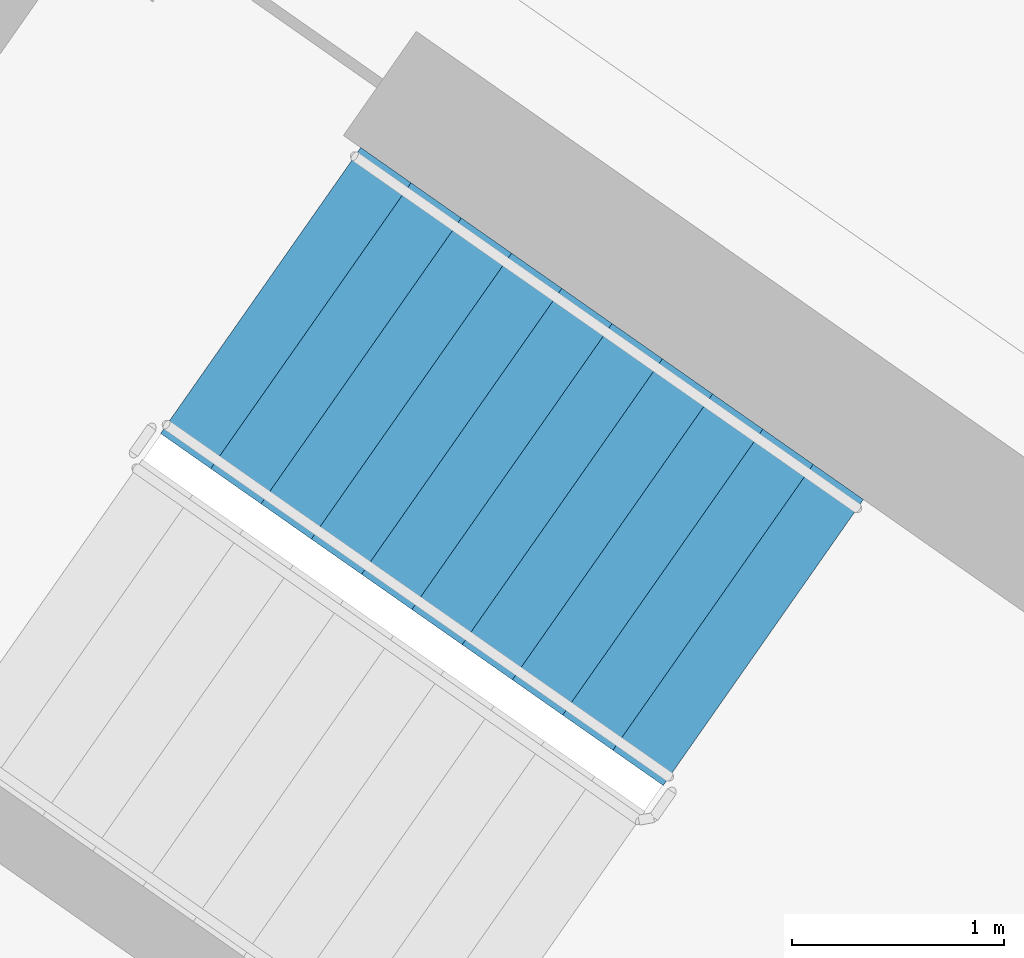
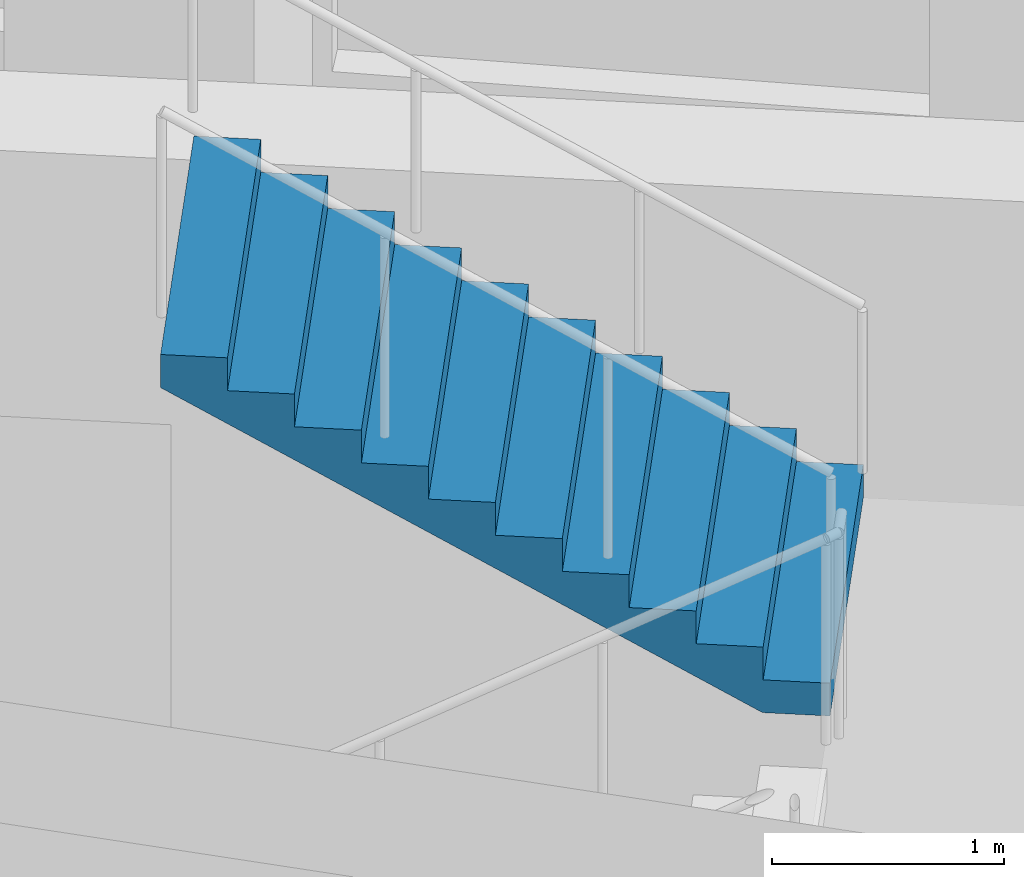
# One storey, part 11 of 27: 1 stair flight, 1 element without a shape of its own.
"""IFC4 building model written with IfcOpenShell, lengths in metres."""

from ifc_helpers import new_model, si_unit, direction, frame, origin, place, context, subcontext, project, spatial, faceted_brep, material, type_object, element, aggregate, save


model = new_model("IFC4")

# Units and contexts
model_context = context("Model", 3, precision=1e-05, world=origin(), true_north=direction((0.0, 1.0)))
body_context = subcontext(model_context, "Body", "Model", "MODEL_VIEW")
ifc_project = project(units=[si_unit("LENGTHUNIT", "METRE"), si_unit("AREAUNIT", "SQUARE_METRE"), si_unit("VOLUMEUNIT", "CUBIC_METRE"), si_unit("PLANEANGLEUNIT", "RADIAN"), si_unit("MASSUNIT", "GRAM", prefix="KILO")], contexts=[model_context])

# Site, building, storey
site_placement = place(None, origin())
site = spatial("IfcSite", under=ifc_project, at=site_placement, CompositionType="ELEMENT")
building_placement = place(site_placement, origin())
building = spatial("IfcBuilding", under=site, at=building_placement, Name="Qamariyya Broadcast Tower", CompositionType="ELEMENT")
storey_placement = place(building_placement, frame((0.0, 0.0, 153.10009765625)))
storey = spatial("IfcBuildingStorey", under=building, at=storey_placement, Name="L35", CompositionType="ELEMENT", Elevation=153.10009765625)

# Stair, stair flight
ifc_material = material(Name="Concrete C50/60", Category="concrete")
stair_type = type_object("IfcStairType", Name="Exit stair 22 risers of 173 mm", PredefinedType="HALF_TURN_STAIR", material=ifc_material)
stair_placement = place(storey_placement, origin())
stair = element("IfcStair", 1, at=stair_placement, inside=storey, type_object=stair_type, Name="L35 Stair W2", PredefinedType="HALF_TURN_STAIR")
stair_flight_type = type_object("IfcStairFlightType", Name="Exit stair flight 11 risers of 173 mm", PredefinedType="STRAIGHT", material=ifc_material)
stair_flight_placement = place(storey_placement, frame((-38.18310546875, -49.3486328125, 1.89990234375), z_axis=(0.0, 0.0, 1.0), x_axis=(-0.819152044289, 0.573576436351, 0.0)))
stair_flight = element("IfcStairFlight", 2, at=stair_flight_placement, type_object=stair_flight_type, Name="ST-W2 flight 2", NumberOfRisers=11, NumberOfTreads=10, PredefinedType="STRAIGHT", RiserHeight=0.172727273, TreadLength=0.29, context=body_context, shape_type="Brep", body=[
    faceted_brep([(0.0, 0.824951171875, 0.0), (0.0, 0.824951171875, 0.172607421875), (0.2900390625, 0.824951171875, 0.172607421875), (0.2900390625, 0.824951171875, 0.345458984375), (0.580078125, 0.824951171875, 0.345458984375), (0.580078125, 0.824951171875, 0.51806640625), (0.8701171875, 0.824951171875, 0.51806640625), (0.8701171875, 0.824951171875, 0.69091796875), (1.159912109375, 0.824951171875, 0.69091796875), (1.159912109375, 0.824951171875, 0.863525390625), (1.449951171875, 0.824951171875, 0.863525390625), (1.449951171875, 0.824951171875, 1.036376953125), (1.739990234375, 0.824951171875, 1.036376953125), (1.739990234375, 0.824951171875, 1.208984375), (2.030029296875, 0.824951171875, 1.208984375), (2.030029296875, 0.824951171875, 1.3818359375), (2.320068359375, 0.824951171875, 1.3818359375), (2.320068359375, 0.824951171875, 1.554443359375), (2.610107421875, 0.824951171875, 1.554443359375), (2.610107421875, 0.824951171875, 1.727294921875), (2.89990234375, 0.824951171875, 1.727294921875), (2.89990234375, 0.824951171875, 1.552734375), (0.29296875, 0.824951171875, 0.0), (0.29296875, -0.824951171875, 0.0), (2.89990234375, -0.824951171875, 1.552734375), (2.89990234375, -0.824951171875, 1.727294921875), (2.610107421875, -0.824951171875, 1.727294921875), (2.610107421875, -0.824951171875, 1.554443359375), (2.320068359375, -0.824951171875, 1.554443359375), (2.320068359375, -0.824951171875, 1.3818359375), (2.030029296875, -0.824951171875, 1.3818359375), (2.030029296875, -0.824951171875, 1.208984375), (1.739990234375, -0.824951171875, 1.208984375), (1.739990234375, -0.824951171875, 1.036376953125), (1.449951171875, -0.824951171875, 1.036376953125), (1.449951171875, -0.824951171875, 0.863525390625), (1.159912109375, -0.824951171875, 0.863525390625), (1.159912109375, -0.824951171875, 0.69091796875), (0.8701171875, -0.824951171875, 0.69091796875), (0.8701171875, -0.824951171875, 0.51806640625), (0.580078125, -0.824951171875, 0.51806640625), (0.580078125, -0.824951171875, 0.345458984375), (0.2900390625, -0.824951171875, 0.345458984375), (0.2900390625, -0.824951171875, 0.172607421875), (0.0, -0.824951171875, 0.172607421875), (0.0, -0.824951171875, 0.0), (0.0, 0.10009765625, 0.0), (0.0, 0.086669921875, 0.0), (0.0, 0.0732421875, 0.0), (0.0, 0.06005859375, 0.0), (0.0, 0.046630859375, 0.0), (0.0, 0.033447265625, 0.0), (0.0, 0.02001953125, 0.0), (0.0, 0.006591796875, 0.0), (0.0, -0.006591796875, 0.0), (0.0, -0.02001953125, 0.0), (0.0, -0.033447265625, 0.0), (0.0, -0.046630859375, 0.0), (0.0, -0.06005859375, 0.0), (0.0, -0.0732421875, 0.0), (0.0, -0.086669921875, 0.0), (0.0, -0.10009765625, 0.0), (0.0, -0.10009765625, 0.172607421875), (0.0, -0.086669921875, 0.172607421875), (0.0, -0.0732421875, 0.172607421875), (0.0, -0.06005859375, 0.172607421875), (0.0, -0.046630859375, 0.172607421875), (0.0, -0.033447265625, 0.172607421875), (0.0, -0.02001953125, 0.172607421875), (0.0, -0.006591796875, 0.172607421875), (0.0, 0.006591796875, 0.172607421875), (0.0, 0.02001953125, 0.172607421875), (0.0, 0.033447265625, 0.172607421875), (0.0, 0.046630859375, 0.172607421875), (0.0, 0.06005859375, 0.172607421875), (0.0, 0.0732421875, 0.172607421875), (0.0, 0.086669921875, 0.172607421875), (0.0, 0.10009765625, 0.172607421875), (0.2900390625, -0.10009765625, 0.172607421875), (0.2900390625, -0.086669921875, 0.172607421875), (0.2900390625, -0.0732421875, 0.172607421875), (0.2900390625, -0.06005859375, 0.172607421875), (0.2900390625, -0.046630859375, 0.172607421875), (0.2900390625, -0.033447265625, 0.172607421875), (0.2900390625, -0.02001953125, 0.172607421875), (0.2900390625, -0.006591796875, 0.172607421875), (0.2900390625, 0.006591796875, 0.172607421875), (0.2900390625, 0.02001953125, 0.172607421875), (0.2900390625, 0.033447265625, 0.172607421875), (0.2900390625, 0.046630859375, 0.172607421875), (0.2900390625, 0.06005859375, 0.172607421875), (0.2900390625, 0.0732421875, 0.172607421875), (0.2900390625, 0.086669921875, 0.172607421875), (0.2900390625, 0.10009765625, 0.172607421875), (0.2900390625, -0.10009765625, 0.345458984375), (0.2900390625, -0.086669921875, 0.345458984375), (0.2900390625, -0.0732421875, 0.345458984375), (0.2900390625, -0.06005859375, 0.345458984375), (0.2900390625, -0.046630859375, 0.345458984375), (0.2900390625, -0.033447265625, 0.345458984375), (0.2900390625, -0.02001953125, 0.345458984375), (0.2900390625, -0.006591796875, 0.345458984375), (0.2900390625, 0.006591796875, 0.345458984375), (0.2900390625, 0.02001953125, 0.345458984375), (0.2900390625, 0.033447265625, 0.345458984375), (0.2900390625, 0.046630859375, 0.345458984375), (0.2900390625, 0.06005859375, 0.345458984375), (0.2900390625, 0.0732421875, 0.345458984375), (0.2900390625, 0.086669921875, 0.345458984375), (0.2900390625, 0.10009765625, 0.345458984375), (0.580078125, -0.10009765625, 0.345458984375), (0.580078125, -0.086669921875, 0.345458984375), (0.580078125, -0.0732421875, 0.345458984375), (0.580078125, -0.06005859375, 0.345458984375), (0.580078125, -0.046630859375, 0.345458984375), (0.580078125, -0.033447265625, 0.345458984375), (0.580078125, -0.02001953125, 0.345458984375), (0.580078125, -0.006591796875, 0.345458984375), (0.580078125, 0.006591796875, 0.345458984375), (0.580078125, 0.02001953125, 0.345458984375), (0.580078125, 0.033447265625, 0.345458984375), (0.580078125, 0.046630859375, 0.345458984375), (0.580078125, 0.06005859375, 0.345458984375), (0.580078125, 0.0732421875, 0.345458984375), (0.580078125, 0.086669921875, 0.345458984375), (0.580078125, 0.10009765625, 0.345458984375), (0.580078125, -0.10009765625, 0.51806640625), (0.580078125, -0.086669921875, 0.51806640625), (0.580078125, -0.0732421875, 0.51806640625), (0.580078125, -0.06005859375, 0.51806640625), (0.580078125, -0.046630859375, 0.51806640625), (0.580078125, -0.033447265625, 0.51806640625), (0.580078125, -0.02001953125, 0.51806640625), (0.580078125, -0.006591796875, 0.51806640625), (0.580078125, 0.006591796875, 0.51806640625), (0.580078125, 0.02001953125, 0.51806640625), (0.580078125, 0.033447265625, 0.51806640625), (0.580078125, 0.046630859375, 0.51806640625), (0.580078125, 0.06005859375, 0.51806640625), (0.580078125, 0.0732421875, 0.51806640625), (0.580078125, 0.086669921875, 0.51806640625), (0.580078125, 0.10009765625, 0.51806640625), (0.8701171875, -0.10009765625, 0.51806640625), (0.8701171875, -0.086669921875, 0.51806640625), (0.8701171875, -0.0732421875, 0.51806640625), (0.8701171875, -0.06005859375, 0.51806640625), (0.8701171875, -0.046630859375, 0.51806640625), (0.8701171875, -0.033447265625, 0.51806640625), (0.8701171875, -0.02001953125, 0.51806640625), (0.8701171875, -0.006591796875, 0.51806640625), (0.8701171875, 0.006591796875, 0.51806640625), (0.8701171875, 0.02001953125, 0.51806640625), (0.8701171875, 0.033447265625, 0.51806640625), (0.8701171875, 0.046630859375, 0.51806640625), (0.8701171875, 0.06005859375, 0.51806640625), (0.8701171875, 0.0732421875, 0.51806640625), (0.8701171875, 0.086669921875, 0.51806640625), (0.8701171875, 0.10009765625, 0.51806640625), (0.8701171875, -0.10009765625, 0.69091796875), (0.8701171875, -0.086669921875, 0.69091796875), (0.8701171875, -0.0732421875, 0.69091796875), (0.8701171875, -0.06005859375, 0.69091796875), (0.8701171875, -0.046630859375, 0.69091796875), (0.8701171875, -0.033447265625, 0.69091796875), (0.8701171875, -0.02001953125, 0.69091796875), (0.8701171875, -0.006591796875, 0.69091796875), (0.8701171875, 0.006591796875, 0.69091796875), (0.8701171875, 0.02001953125, 0.69091796875), (0.8701171875, 0.033447265625, 0.69091796875), (0.8701171875, 0.046630859375, 0.69091796875), (0.8701171875, 0.06005859375, 0.69091796875), (0.8701171875, 0.0732421875, 0.69091796875), (0.8701171875, 0.086669921875, 0.69091796875), (0.8701171875, 0.10009765625, 0.69091796875), (1.159912109375, -0.10009765625, 0.69091796875), (1.159912109375, -0.086669921875, 0.69091796875), (1.159912109375, -0.0732421875, 0.69091796875), (1.159912109375, -0.06005859375, 0.69091796875), (1.159912109375, -0.046630859375, 0.69091796875), (1.159912109375, -0.033447265625, 0.69091796875), (1.159912109375, -0.02001953125, 0.69091796875), (1.159912109375, -0.006591796875, 0.69091796875), (1.159912109375, 0.006591796875, 0.69091796875), (1.159912109375, 0.02001953125, 0.69091796875), (1.159912109375, 0.033447265625, 0.69091796875), (1.159912109375, 0.046630859375, 0.69091796875), (1.159912109375, 0.06005859375, 0.69091796875), (1.159912109375, 0.0732421875, 0.69091796875), (1.159912109375, 0.086669921875, 0.69091796875), (1.159912109375, 0.10009765625, 0.69091796875), (1.159912109375, -0.10009765625, 0.863525390625), (1.159912109375, -0.086669921875, 0.863525390625), (1.159912109375, -0.0732421875, 0.863525390625), (1.159912109375, -0.06005859375, 0.863525390625), (1.159912109375, -0.046630859375, 0.863525390625), (1.159912109375, -0.033447265625, 0.863525390625), (1.159912109375, -0.02001953125, 0.863525390625), (1.159912109375, -0.006591796875, 0.863525390625), (1.159912109375, 0.006591796875, 0.863525390625), (1.159912109375, 0.02001953125, 0.863525390625), (1.159912109375, 0.033447265625, 0.863525390625), (1.159912109375, 0.046630859375, 0.863525390625), (1.159912109375, 0.06005859375, 0.863525390625), (1.159912109375, 0.0732421875, 0.863525390625), (1.159912109375, 0.086669921875, 0.863525390625), (1.159912109375, 0.10009765625, 0.863525390625), (1.449951171875, -0.10009765625, 0.863525390625), (1.449951171875, -0.086669921875, 0.863525390625), (1.449951171875, -0.0732421875, 0.863525390625), (1.449951171875, -0.06005859375, 0.863525390625), (1.449951171875, -0.046630859375, 0.863525390625), (1.449951171875, -0.033447265625, 0.863525390625), (1.449951171875, -0.02001953125, 0.863525390625), (1.449951171875, -0.006591796875, 0.863525390625), (1.449951171875, 0.006591796875, 0.863525390625), (1.449951171875, 0.02001953125, 0.863525390625), (1.449951171875, 0.033447265625, 0.863525390625), (1.449951171875, 0.046630859375, 0.863525390625), (1.449951171875, 0.06005859375, 0.863525390625), (1.449951171875, 0.0732421875, 0.863525390625), (1.449951171875, 0.086669921875, 0.863525390625), (1.449951171875, 0.10009765625, 0.863525390625), (1.449951171875, -0.10009765625, 1.036376953125), (1.449951171875, -0.086669921875, 1.036376953125), (1.449951171875, -0.0732421875, 1.036376953125), (1.449951171875, -0.06005859375, 1.036376953125), (1.449951171875, -0.046630859375, 1.036376953125), (1.449951171875, -0.033447265625, 1.036376953125), (1.449951171875, -0.02001953125, 1.036376953125), (1.449951171875, -0.006591796875, 1.036376953125), (1.449951171875, 0.006591796875, 1.036376953125), (1.449951171875, 0.02001953125, 1.036376953125), (1.449951171875, 0.033447265625, 1.036376953125), (1.449951171875, 0.046630859375, 1.036376953125), (1.449951171875, 0.06005859375, 1.036376953125), (1.449951171875, 0.0732421875, 1.036376953125), (1.449951171875, 0.086669921875, 1.036376953125), (1.449951171875, 0.10009765625, 1.036376953125), (1.739990234375, -0.10009765625, 1.036376953125), (1.739990234375, -0.086669921875, 1.036376953125), (1.739990234375, -0.0732421875, 1.036376953125), (1.739990234375, -0.06005859375, 1.036376953125), (1.739990234375, -0.046630859375, 1.036376953125), (1.739990234375, -0.033447265625, 1.036376953125), (1.739990234375, -0.02001953125, 1.036376953125), (1.739990234375, -0.006591796875, 1.036376953125), (1.739990234375, 0.006591796875, 1.036376953125), (1.739990234375, 0.02001953125, 1.036376953125), (1.739990234375, 0.033447265625, 1.036376953125), (1.739990234375, 0.046630859375, 1.036376953125), (1.739990234375, 0.06005859375, 1.036376953125), (1.739990234375, 0.0732421875, 1.036376953125), (1.739990234375, 0.086669921875, 1.036376953125), (1.739990234375, 0.10009765625, 1.036376953125), (1.739990234375, -0.10009765625, 1.208984375), (1.739990234375, -0.086669921875, 1.208984375), (1.739990234375, -0.0732421875, 1.208984375), (1.739990234375, -0.06005859375, 1.208984375), (1.739990234375, -0.046630859375, 1.208984375), (1.739990234375, -0.033447265625, 1.208984375), (1.739990234375, -0.02001953125, 1.208984375), (1.739990234375, -0.006591796875, 1.208984375), (1.739990234375, 0.006591796875, 1.208984375), (1.739990234375, 0.02001953125, 1.208984375), (1.739990234375, 0.033447265625, 1.208984375), (1.739990234375, 0.046630859375, 1.208984375), (1.739990234375, 0.06005859375, 1.208984375), (1.739990234375, 0.0732421875, 1.208984375), (1.739990234375, 0.086669921875, 1.208984375), (1.739990234375, 0.10009765625, 1.208984375), (2.030029296875, -0.10009765625, 1.208984375), (2.030029296875, -0.086669921875, 1.208984375), (2.030029296875, -0.0732421875, 1.208984375), (2.030029296875, -0.06005859375, 1.208984375), (2.030029296875, -0.046630859375, 1.208984375), (2.030029296875, -0.033447265625, 1.208984375), (2.030029296875, -0.02001953125, 1.208984375), (2.030029296875, -0.006591796875, 1.208984375), (2.030029296875, 0.006591796875, 1.208984375), (2.030029296875, 0.02001953125, 1.208984375), (2.030029296875, 0.033447265625, 1.208984375), (2.030029296875, 0.046630859375, 1.208984375), (2.030029296875, 0.06005859375, 1.208984375), (2.030029296875, 0.0732421875, 1.208984375), (2.030029296875, 0.086669921875, 1.208984375), (2.030029296875, 0.10009765625, 1.208984375), (2.030029296875, -0.10009765625, 1.3818359375), (2.030029296875, -0.086669921875, 1.3818359375), (2.030029296875, -0.0732421875, 1.3818359375), (2.030029296875, -0.06005859375, 1.3818359375), (2.030029296875, -0.046630859375, 1.3818359375), (2.030029296875, -0.033447265625, 1.3818359375), (2.030029296875, -0.02001953125, 1.3818359375), (2.030029296875, -0.006591796875, 1.3818359375), (2.030029296875, 0.006591796875, 1.3818359375), (2.030029296875, 0.02001953125, 1.3818359375), (2.030029296875, 0.033447265625, 1.3818359375), (2.030029296875, 0.046630859375, 1.3818359375), (2.030029296875, 0.06005859375, 1.3818359375), (2.030029296875, 0.0732421875, 1.3818359375), (2.030029296875, 0.086669921875, 1.3818359375), (2.030029296875, 0.10009765625, 1.3818359375), (2.320068359375, -0.10009765625, 1.3818359375), (2.320068359375, -0.086669921875, 1.3818359375), (2.320068359375, -0.0732421875, 1.3818359375), (2.320068359375, -0.06005859375, 1.3818359375), (2.320068359375, -0.046630859375, 1.3818359375), (2.320068359375, -0.033447265625, 1.3818359375), (2.320068359375, -0.02001953125, 1.3818359375), (2.320068359375, -0.006591796875, 1.3818359375), (2.320068359375, 0.006591796875, 1.3818359375), (2.320068359375, 0.02001953125, 1.3818359375), (2.320068359375, 0.033447265625, 1.3818359375), (2.320068359375, 0.046630859375, 1.3818359375), (2.320068359375, 0.06005859375, 1.3818359375), (2.320068359375, 0.0732421875, 1.3818359375), (2.320068359375, 0.086669921875, 1.3818359375), (2.320068359375, 0.10009765625, 1.3818359375), (2.320068359375, -0.10009765625, 1.554443359375), (2.320068359375, -0.086669921875, 1.554443359375), (2.320068359375, -0.0732421875, 1.554443359375), (2.320068359375, -0.06005859375, 1.554443359375), (2.320068359375, -0.046630859375, 1.554443359375), (2.320068359375, -0.033447265625, 1.554443359375), (2.320068359375, -0.02001953125, 1.554443359375), (2.320068359375, -0.006591796875, 1.554443359375), (2.320068359375, 0.006591796875, 1.554443359375), (2.320068359375, 0.02001953125, 1.554443359375), (2.320068359375, 0.033447265625, 1.554443359375), (2.320068359375, 0.046630859375, 1.554443359375), (2.320068359375, 0.06005859375, 1.554443359375), (2.320068359375, 0.0732421875, 1.554443359375), (2.320068359375, 0.086669921875, 1.554443359375), (2.320068359375, 0.10009765625, 1.554443359375), (2.610107421875, -0.10009765625, 1.554443359375), (2.610107421875, -0.086669921875, 1.554443359375), (2.610107421875, -0.0732421875, 1.554443359375), (2.610107421875, -0.06005859375, 1.554443359375), (2.610107421875, -0.046630859375, 1.554443359375), (2.610107421875, -0.033447265625, 1.554443359375), (2.610107421875, -0.02001953125, 1.554443359375), (2.610107421875, -0.006591796875, 1.554443359375), (2.610107421875, 0.006591796875, 1.554443359375), (2.610107421875, 0.02001953125, 1.554443359375), (2.610107421875, 0.033447265625, 1.554443359375), (2.610107421875, 0.046630859375, 1.554443359375), (2.610107421875, 0.06005859375, 1.554443359375), (2.610107421875, 0.0732421875, 1.554443359375), (2.610107421875, 0.086669921875, 1.554443359375), (2.610107421875, 0.10009765625, 1.554443359375), (2.610107421875, -0.10009765625, 1.727294921875), (2.610107421875, -0.086669921875, 1.727294921875), (2.610107421875, -0.0732421875, 1.727294921875), (2.610107421875, -0.06005859375, 1.727294921875), (2.610107421875, -0.046630859375, 1.727294921875), (2.610107421875, -0.033447265625, 1.727294921875), (2.610107421875, -0.02001953125, 1.727294921875), (2.610107421875, -0.006591796875, 1.727294921875), (2.610107421875, 0.006591796875, 1.727294921875), (2.610107421875, 0.02001953125, 1.727294921875), (2.610107421875, 0.033447265625, 1.727294921875), (2.610107421875, 0.046630859375, 1.727294921875), (2.610107421875, 0.06005859375, 1.727294921875), (2.610107421875, 0.0732421875, 1.727294921875), (2.610107421875, 0.086669921875, 1.727294921875), (2.610107421875, 0.10009765625, 1.727294921875), (2.89990234375, -0.10009765625, 1.727294921875), (2.89990234375, -0.086669921875, 1.727294921875), (2.89990234375, -0.0732421875, 1.727294921875), (2.89990234375, -0.06005859375, 1.727294921875), (2.89990234375, -0.046630859375, 1.727294921875), (2.89990234375, -0.033447265625, 1.727294921875), (2.89990234375, -0.02001953125, 1.727294921875), (2.89990234375, -0.006591796875, 1.727294921875), (2.89990234375, 0.006591796875, 1.727294921875), (2.89990234375, 0.02001953125, 1.727294921875), (2.89990234375, 0.033447265625, 1.727294921875), (2.89990234375, 0.046630859375, 1.727294921875), (2.89990234375, 0.06005859375, 1.727294921875), (2.89990234375, 0.0732421875, 1.727294921875), (2.89990234375, 0.086669921875, 1.727294921875), (2.89990234375, 0.10009765625, 1.727294921875), (2.89990234375, -0.10009765625, 1.552734375), (2.89990234375, -0.086669921875, 1.552734375), (2.89990234375, -0.0732421875, 1.552734375), (2.89990234375, -0.06005859375, 1.552734375), (2.89990234375, -0.046630859375, 1.552734375), (2.89990234375, -0.033447265625, 1.552734375), (2.89990234375, -0.02001953125, 1.552734375), (2.89990234375, -0.006591796875, 1.552734375), (2.89990234375, 0.006591796875, 1.552734375), (2.89990234375, 0.02001953125, 1.552734375), (2.89990234375, 0.033447265625, 1.552734375), (2.89990234375, 0.046630859375, 1.552734375), (2.89990234375, 0.06005859375, 1.552734375), (2.89990234375, 0.0732421875, 1.552734375), (2.89990234375, 0.086669921875, 1.552734375), (2.89990234375, 0.10009765625, 1.552734375), (0.29296875, -0.10009765625, 0.0), (0.29296875, -0.086669921875, 0.0), (0.29296875, -0.0732421875, 0.0), (0.29296875, -0.06005859375, 0.0), (0.29296875, -0.046630859375, 0.0), (0.29296875, -0.033447265625, 0.0), (0.29296875, -0.02001953125, 0.0), (0.29296875, -0.006591796875, 0.0), (0.29296875, 0.006591796875, 0.0), (0.29296875, 0.02001953125, 0.0), (0.29296875, 0.033447265625, 0.0), (0.29296875, 0.046630859375, 0.0), (0.29296875, 0.06005859375, 0.0), (0.29296875, 0.0732421875, 0.0), (0.29296875, 0.086669921875, 0.0), (0.29296875, 0.10009765625, 0.0)], [[[0, 1, 2, 3, 4, 5, 6, 7, 8, 9, 10, 11, 12, 13, 14, 15, 16, 17, 18, 19, 20, 21, 22]], [[23, 24, 25, 26, 27, 28, 29, 30, 31, 32, 33, 34, 35, 36, 37, 38, 39, 40, 41, 42, 43, 44, 45]], [[0, 46, 47, 48, 49, 50, 51, 52, 53, 54, 55, 56, 57, 58, 59, 60, 61, 45, 44, 62, 63, 64, 65, 66, 67, 68, 69, 70, 71, 72, 73, 74, 75, 76, 77, 1]], [[1, 77, 76, 75, 74, 73, 72, 71, 70, 69, 68, 67, 66, 65, 64, 63, 62, 44, 43, 78, 79, 80, 81, 82, 83, 84, 85, 86, 87, 88, 89, 90, 91, 92, 93, 2]], [[2, 93, 92, 91, 90, 89, 88, 87, 86, 85, 84, 83, 82, 81, 80, 79, 78, 43, 42, 94, 95, 96, 97, 98, 99, 100, 101, 102, 103, 104, 105, 106, 107, 108, 109, 3]], [[3, 109, 108, 107, 106, 105, 104, 103, 102, 101, 100, 99, 98, 97, 96, 95, 94, 42, 41, 110, 111, 112, 113, 114, 115, 116, 117, 118, 119, 120, 121, 122, 123, 124, 125, 4]], [[4, 125, 124, 123, 122, 121, 120, 119, 118, 117, 116, 115, 114, 113, 112, 111, 110, 41, 40, 126, 127, 128, 129, 130, 131, 132, 133, 134, 135, 136, 137, 138, 139, 140, 141, 5]], [[5, 141, 140, 139, 138, 137, 136, 135, 134, 133, 132, 131, 130, 129, 128, 127, 126, 40, 39, 142, 143, 144, 145, 146, 147, 148, 149, 150, 151, 152, 153, 154, 155, 156, 157, 6]], [[6, 157, 156, 155, 154, 153, 152, 151, 150, 149, 148, 147, 146, 145, 144, 143, 142, 39, 38, 158, 159, 160, 161, 162, 163, 164, 165, 166, 167, 168, 169, 170, 171, 172, 173, 7]], [[7, 173, 172, 171, 170, 169, 168, 167, 166, 165, 164, 163, 162, 161, 160, 159, 158, 38, 37, 174, 175, 176, 177, 178, 179, 180, 181, 182, 183, 184, 185, 186, 187, 188, 189, 8]], [[8, 189, 188, 187, 186, 185, 184, 183, 182, 181, 180, 179, 178, 177, 176, 175, 174, 37, 36, 190, 191, 192, 193, 194, 195, 196, 197, 198, 199, 200, 201, 202, 203, 204, 205, 9]], [[9, 205, 204, 203, 202, 201, 200, 199, 198, 197, 196, 195, 194, 193, 192, 191, 190, 36, 35, 206, 207, 208, 209, 210, 211, 212, 213, 214, 215, 216, 217, 218, 219, 220, 221, 10]], [[10, 221, 220, 219, 218, 217, 216, 215, 214, 213, 212, 211, 210, 209, 208, 207, 206, 35, 34, 222, 223, 224, 225, 226, 227, 228, 229, 230, 231, 232, 233, 234, 235, 236, 237, 11]], [[11, 237, 236, 235, 234, 233, 232, 231, 230, 229, 228, 227, 226, 225, 224, 223, 222, 34, 33, 238, 239, 240, 241, 242, 243, 244, 245, 246, 247, 248, 249, 250, 251, 252, 253, 12]], [[12, 253, 252, 251, 250, 249, 248, 247, 246, 245, 244, 243, 242, 241, 240, 239, 238, 33, 32, 254, 255, 256, 257, 258, 259, 260, 261, 262, 263, 264, 265, 266, 267, 268, 269, 13]], [[13, 269, 268, 267, 266, 265, 264, 263, 262, 261, 260, 259, 258, 257, 256, 255, 254, 32, 31, 270, 271, 272, 273, 274, 275, 276, 277, 278, 279, 280, 281, 282, 283, 284, 285, 14]], [[14, 285, 284, 283, 282, 281, 280, 279, 278, 277, 276, 275, 274, 273, 272, 271, 270, 31, 30, 286, 287, 288, 289, 290, 291, 292, 293, 294, 295, 296, 297, 298, 299, 300, 301, 15]], [[15, 301, 300, 299, 298, 297, 296, 295, 294, 293, 292, 291, 290, 289, 288, 287, 286, 30, 29, 302, 303, 304, 305, 306, 307, 308, 309, 310, 311, 312, 313, 314, 315, 316, 317, 16]], [[16, 317, 316, 315, 314, 313, 312, 311, 310, 309, 308, 307, 306, 305, 304, 303, 302, 29, 28, 318, 319, 320, 321, 322, 323, 324, 325, 326, 327, 328, 329, 330, 331, 332, 333, 17]], [[17, 333, 332, 331, 330, 329, 328, 327, 326, 325, 324, 323, 322, 321, 320, 319, 318, 28, 27, 334, 335, 336, 337, 338, 339, 340, 341, 342, 343, 344, 345, 346, 347, 348, 349, 18]], [[18, 349, 348, 347, 346, 345, 344, 343, 342, 341, 340, 339, 338, 337, 336, 335, 334, 27, 26, 350, 351, 352, 353, 354, 355, 356, 357, 358, 359, 360, 361, 362, 363, 364, 365, 19]], [[19, 365, 364, 363, 362, 361, 360, 359, 358, 357, 356, 355, 354, 353, 352, 351, 350, 26, 25, 366, 367, 368, 369, 370, 371, 372, 373, 374, 375, 376, 377, 378, 379, 380, 381, 20]], [[20, 381, 380, 379, 378, 377, 376, 375, 374, 373, 372, 371, 370, 369, 368, 367, 366, 25, 24, 382, 383, 384, 385, 386, 387, 388, 389, 390, 391, 392, 393, 394, 395, 396, 397, 21]], [[21, 397, 396, 395, 394, 393, 392, 391, 390, 389, 388, 387, 386, 385, 384, 383, 382, 24, 23, 398, 399, 400, 401, 402, 403, 404, 405, 406, 407, 408, 409, 410, 411, 412, 413, 22]], [[22, 413, 412, 411, 410, 409, 408, 407, 406, 405, 404, 403, 402, 401, 400, 399, 398, 23, 45, 61, 60, 59, 58, 57, 56, 55, 54, 53, 52, 51, 50, 49, 48, 47, 46, 0]]]),
])
aggregate(stair, [stair_flight])

save(model, "model.ifc")
